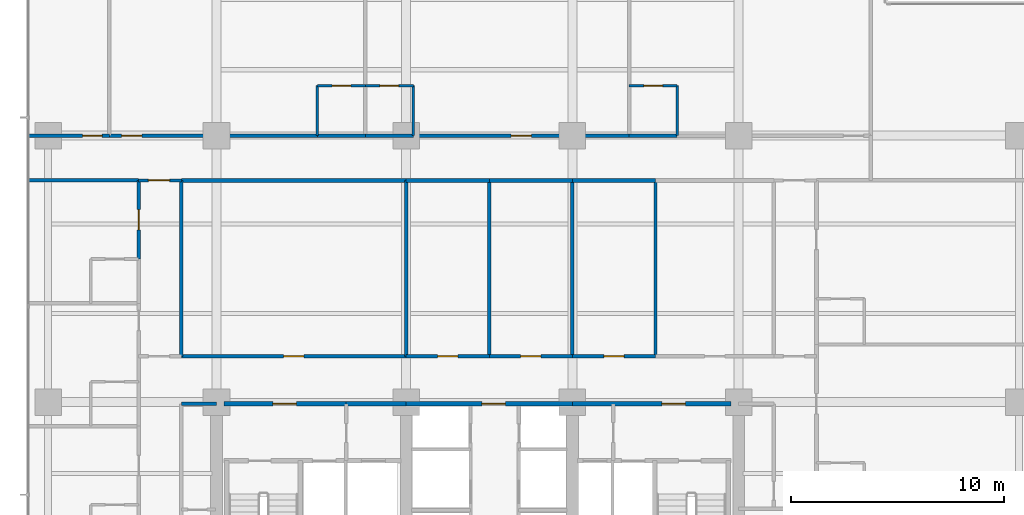
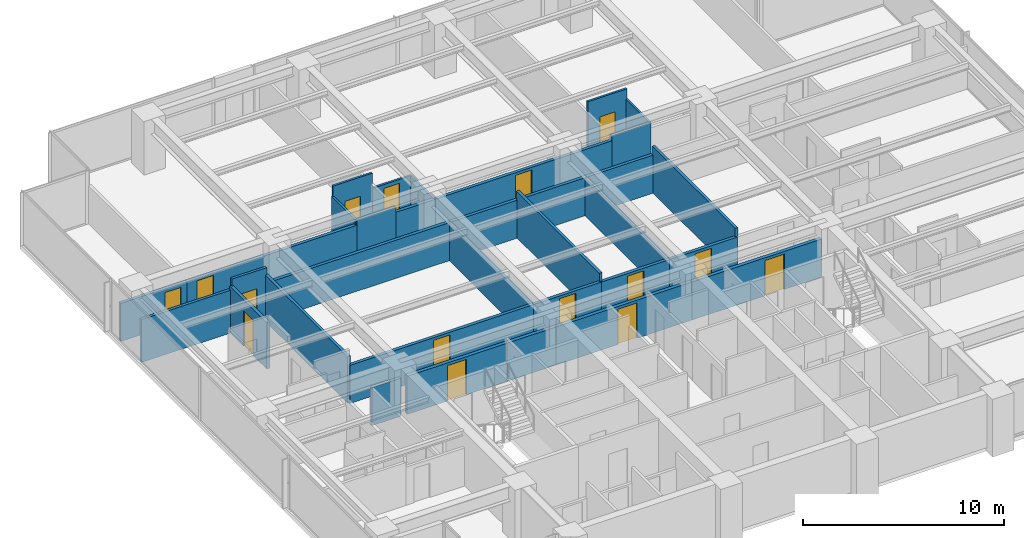
# One storey, part 10 of 17: 33 walls, 15 doors, 15 openings.
"""IFC4 building model written with IfcOpenShell, lengths in metres."""

from ifc_helpers import new_model, si_unit, direction, frame, frame_2d, origin, place, context, subcontext, project, spatial, rectangle, extrude, material, layer, layer_set, type_object, element, fill, save


model = new_model("IFC4")

# Units and contexts
model_context = context("Model", 3, precision=1e-05, world=origin(), true_north=direction((0.0, 1.0)))
body_context = subcontext(model_context, "Body", "Model", "MODEL_VIEW")
ifc_project = project(units=[si_unit("LENGTHUNIT", "METRE"), si_unit("AREAUNIT", "SQUARE_METRE"), si_unit("VOLUMEUNIT", "CUBIC_METRE"), si_unit("PLANEANGLEUNIT", "RADIAN"), si_unit("MASSUNIT", "GRAM", prefix="KILO")], contexts=[model_context])

# Site, building, storey
site_placement = place(None, origin())
site = spatial("IfcSite", under=ifc_project, at=site_placement, CompositionType="ELEMENT")
building_placement = place(site_placement, origin())
building = spatial("IfcBuilding", under=site, at=building_placement, Name="Qalmaran Belvedere Hotel", CompositionType="ELEMENT")
storey_placement = place(building_placement, frame((0.0, 0.0, 116.199951171875)))
storey = spatial("IfcBuildingStorey", under=building, at=storey_placement, Name="L29", CompositionType="ELEMENT", Elevation=116.199951171875)

# Wall, opening, door
ifc_material_1 = material(Name="Moisture-Resistant Gypsum")
ifc_layer_1 = layer(ifc_material_1, 0.1201171875, Name="Moisture-Resistant Gypsum")
ifc_layer_set_1 = layer_set([ifc_layer_1], Name="Moisture-Resistant Gypsum")
wall_type_1 = type_object("IfcWallType", Name="WL-INT-120-BATH", PredefinedType="PARTITIONING", material=ifc_layer_set_1)
wall_1_placement = place(storey_placement, frame((25.035400390625, 35.35009765625, 0.0), z_axis=(0.0, 0.0, 1.0), x_axis=(1.0, 0.0, 0.0)))
wall_1 = element("IfcWall", 1, at=wall_1_placement, inside=storey, type_object=wall_type_1, Name="L29 Partition WL-L29-NBN00", PredefinedType="PARTITIONING", context=body_context, shape_type="SweptSolid", body=[
    extrude(rectangle(XDim=2.25, YDim=0.1201171875, at=frame_2d((1.125, 0.0))), origin(), (0.0, 0.0, 1.0), 3.239990234375),
])
opening_1_placement = place(wall_1_placement, frame((1.56494140625, 0.0, 0.0), z_axis=(0.0, 0.0, 1.0), x_axis=(-1.0, 0.0, 0.0)))
opening_1 = element("IfcOpeningElement", 2, at=opening_1_placement, cuts=wall_1, Name="Opening D-BATH", PredefinedType="OPENING", context=body_context, shape_type="SweptSolid", body=[
    extrude(rectangle(XDim=0.8798828125, YDim=2.080078125, at=frame_2d((0.43994140625, 1.0400390625))), frame((0.0, 0.070068359375, 0.0), z_axis=(0.0, -1.0, 0.0), x_axis=(1.0, 0.0, 0.0)), (0.0, 0.0, 1.0), 0.14013671875),
])
ifc_material_2 = material(Name="Engineered Oak Veneer")
door_type_1 = type_object("IfcDoorType", Name="DR-INT-BATH-880X2080", OperationType="NOTDEFINED", PredefinedType="DOOR", material=ifc_material_2)
door_1_placement = place(opening_1_placement, origin())
door_1 = element("IfcDoor", 3, at=door_1_placement, inside=storey, type_object=door_type_1, Name="L29 Ensuite Bathroom Door N01", OperationType="SINGLE_SWING_RIGHT", OverallHeight=2.080078125, OverallWidth=0.8798828125, PredefinedType="DOOR", context=body_context, shape_type="SweptSolid", body=[
    extrude(rectangle(XDim=0.8798828125, YDim=2.080078125, at=frame_2d((0.43994140625, 1.0400390625))), frame((0.0, 0.02490234375, 0.0), z_axis=(0.0, -1.0, 0.0), x_axis=(1.0, 0.0, 0.0)), (0.0, 0.0, 1.0), 0.050048828125),
])
fill(opening_1, door_1)

# Wall
wall_2_placement = place(storey_placement, frame((25.035400390625, 33.0, 0.0), z_axis=(0.0, 0.0, 1.0), x_axis=(0.0, 1.0, 0.0)))
element("IfcWall", 4, at=wall_2_placement, inside=storey, type_object=wall_type_1, Name="L29 Partition WL-L29-NBS00", PredefinedType="PARTITIONING", context=body_context, shape_type="SweptSolid", body=[
    extrude(rectangle(XDim=2.35009765625, YDim=0.1201171875, at=frame_2d((1.175048828125, 0.0))), origin(), (0.0, 0.0, 1.0), 2.614013671875),
])

# Wall, opening, door
wall_3_placement = place(storey_placement, frame((27.285400390625, 35.35009765625, 0.0), z_axis=(0.0, 0.0, 1.0), x_axis=(1.0, 0.0, 0.0)))
wall_3 = element("IfcWall", 5, at=wall_3_placement, inside=storey, type_object=wall_type_1, Name="L29 Partition WL-L29-NBN01", PredefinedType="PARTITIONING", context=body_context, shape_type="SweptSolid", body=[
    extrude(rectangle(XDim=2.25, YDim=0.1201171875, at=frame_2d((1.125, 0.0))), origin(), (0.0, 0.0, 1.0), 2.31298828125),
])
opening_2_placement = place(wall_3_placement, frame((1.56494140625, 0.0, 0.0), z_axis=(0.0, 0.0, 1.0), x_axis=(-1.0, 0.0, 0.0)))
opening_2 = element("IfcOpeningElement", 6, at=opening_2_placement, cuts=wall_3, Name="Opening D-BATH", PredefinedType="OPENING", context=body_context, shape_type="SweptSolid", body=[
    extrude(rectangle(XDim=0.8798828125, YDim=2.080078125, at=frame_2d((0.43994140625, 1.0400390625))), frame((0.0, 0.070068359375, 0.0), z_axis=(0.0, -1.0, 0.0), x_axis=(1.0, 0.0, 0.0)), (0.0, 0.0, 1.0), 0.14013671875),
])
door_2_placement = place(opening_2_placement, origin())
door_2 = element("IfcDoor", 7, at=door_2_placement, inside=storey, type_object=door_type_1, Name="L29 Ensuite Bathroom Door N02", OperationType="SINGLE_SWING_RIGHT", OverallHeight=2.080078125, OverallWidth=0.8798828125, PredefinedType="DOOR", context=body_context, shape_type="SweptSolid", body=[
    extrude(rectangle(XDim=0.8798828125, YDim=2.080078125, at=frame_2d((0.43994140625, 1.0400390625))), frame((0.0, 0.02490234375, 0.0), z_axis=(0.0, -1.0, 0.0), x_axis=(1.0, 0.0, 0.0)), (0.0, 0.0, 1.0), 0.050048828125),
])
fill(opening_2, door_2)

# Wall
wall_4_placement = place(storey_placement, frame((29.535400390625, 33.0, 0.0), z_axis=(0.0, 0.0, 1.0), x_axis=(0.0, 1.0, 0.0)))
element("IfcWall", 8, at=wall_4_placement, inside=storey, type_object=wall_type_1, Name="L29 Partition WL-L29-NBS01", PredefinedType="PARTITIONING", context=body_context, shape_type="SweptSolid", body=[
    extrude(rectangle(XDim=2.35009765625, YDim=0.1201171875, at=frame_2d((1.175048828125, 0.0))), origin(), (0.0, 0.0, 1.0), 2.31298828125),
])

# Wall, opening, door
wall_5_placement = place(storey_placement, frame((39.664794921875, 35.35009765625, 0.0), z_axis=(0.0, 0.0, 1.0), x_axis=(1.0, 0.0, 0.0)))
wall_5 = element("IfcWall", 9, at=wall_5_placement, inside=storey, type_object=wall_type_1, Name="L29 Partition WL-L29-NBN02", PredefinedType="PARTITIONING", context=body_context, shape_type="SweptSolid", body=[
    extrude(rectangle(XDim=2.25, YDim=0.1201171875, at=frame_2d((1.125, 0.0))), origin(), (0.0, 0.0, 1.0), 3.239990234375),
])
opening_3_placement = place(wall_5_placement, frame((1.56494140625, 0.0, 0.0), z_axis=(0.0, 0.0, 1.0), x_axis=(-1.0, 0.0, 0.0)))
opening_3 = element("IfcOpeningElement", 10, at=opening_3_placement, cuts=wall_5, Name="Opening D-BATH", PredefinedType="OPENING", context=body_context, shape_type="SweptSolid", body=[
    extrude(rectangle(XDim=0.8798828125, YDim=2.080078125, at=frame_2d((0.43994140625, 1.0400390625))), frame((0.0, 0.070068359375, 0.0), z_axis=(0.0, -1.0, 0.0), x_axis=(1.0, 0.0, 0.0)), (0.0, 0.0, 1.0), 0.14013671875),
])
door_3_placement = place(opening_3_placement, origin())
door_3 = element("IfcDoor", 11, at=door_3_placement, inside=storey, type_object=door_type_1, Name="L29 Ensuite Bathroom Door N03", OperationType="SINGLE_SWING_RIGHT", OverallHeight=2.080078125, OverallWidth=0.8798828125, PredefinedType="DOOR", context=body_context, shape_type="SweptSolid", body=[
    extrude(rectangle(XDim=0.8798828125, YDim=2.080078125, at=frame_2d((0.43994140625, 1.0400390625))), frame((0.0, 0.02490234375, 0.0), z_axis=(0.0, -1.0, 0.0), x_axis=(1.0, 0.0, 0.0)), (0.0, 0.0, 1.0), 0.050048828125),
])
fill(opening_3, door_3)

# Wall
wall_6_placement = place(storey_placement, frame((41.914794921875, 33.0, 0.0), z_axis=(0.0, 0.0, 1.0), x_axis=(0.0, 1.0, 0.0)))
element("IfcWall", 12, at=wall_6_placement, inside=storey, type_object=wall_type_1, Name="L29 Partition WL-L29-NBS02", PredefinedType="PARTITIONING", context=body_context, shape_type="SweptSolid", body=[
    extrude(rectangle(XDim=2.35009765625, YDim=0.1201171875, at=frame_2d((1.175048828125, 0.0))), origin(), (0.0, 0.0, 1.0), 2.614013671875),
])

# Wall, opening, door
ifc_material_3 = material(Name="Gypsum Stud Partition")
ifc_layer_2 = layer(ifc_material_3, 0.14990234375, Name="Gypsum Stud Partition")
ifc_layer_set_2 = layer_set([ifc_layer_2], Name="Gypsum Stud Partition")
wall_type_2 = type_object("IfcWallType", Name="WL-INT-150-EI60", PredefinedType="PARTITIONING", material=ifc_layer_set_2)
wall_7_placement = place(storey_placement, frame((16.64990234375, 30.89990234375, 0.0), z_axis=(0.0, 0.0, 1.0), x_axis=(1.0, 0.0, 0.0)))
wall_7 = element("IfcWall", 13, at=wall_7_placement, inside=storey, type_object=wall_type_2, Name="L29 Partition WL-L29-XCW2", PredefinedType="PARTITIONING", context=body_context, shape_type="SweptSolid", body=[
    extrude(rectangle(XDim=2.0, YDim=0.14990234375, at=frame_2d((1.0, 0.0))), origin(), (0.0, 0.0, 1.0), 3.239990234375),
])
opening_4_placement = place(wall_7_placement, frame((0.449951171875, 0.0, 0.0)))
opening_4 = element("IfcOpeningElement", 14, at=opening_4_placement, cuts=wall_7, Name="Opening FD90B", PredefinedType="OPENING", context=body_context, shape_type="SweptSolid", body=[
    extrude(rectangle(XDim=1.0, YDim=2.14990234375, at=frame_2d((0.5, 1.074951171875))), frame((0.0, 0.0849609375, 0.0), z_axis=(0.0, -1.0, 0.0), x_axis=(1.0, 0.0, 0.0)), (0.0, 0.0, 1.0), 0.169921875),
])
ifc_material_4 = material(Name="Steel S355JR", Category="steel")
door_type_2 = type_object("IfcDoorType", Name="DR-FD90B-1000X2150", OperationType="NOTDEFINED", PredefinedType="DOOR", material=ifc_material_4)
door_4_placement = place(opening_4_placement, origin())
door_4 = element("IfcDoor", 15, at=door_4_placement, inside=storey, type_object=door_type_2, Name="L29 West Corridor Smoke Door N", OperationType="SINGLE_SWING_RIGHT", OverallHeight=2.14990234375, OverallWidth=1.0, PredefinedType="DOOR", context=body_context, shape_type="SweptSolid", body=[
    extrude(rectangle(XDim=1.0, YDim=2.14990234375, at=frame_2d((0.5, 1.074951171875))), frame((0.0, 0.02490234375, 0.0), z_axis=(0.0, -1.0, 0.0), x_axis=(1.0, 0.0, 0.0)), (0.0, 0.0, 1.0), 0.050048828125),
])
fill(opening_4, door_4)

# Walls
ifc_layer_3 = layer(ifc_material_3, 0.159912109375, Name="Gypsum Stud Partition")
ifc_layer_set_3 = layer_set([ifc_layer_3], Name="Gypsum Stud Partition")
wall_type_3 = type_object("IfcWallType", Name="WL-INT-160-EI60", PredefinedType="PARTITIONING", material=ifc_layer_set_3)
wall_8_placement = place(storey_placement, frame((18.64990234375, 20.419921875, 0.0), z_axis=(0.0, 0.0, 1.0), x_axis=(1.0, 0.0, 0.0)))
element("IfcWall", 16, at=wall_8_placement, inside=storey, type_object=wall_type_3, Name="L29 Partition WL-L29-WCLN", PredefinedType="PARTITIONING", context=body_context, shape_type="SweptSolid", body=[
    extrude(rectangle(XDim=1.650146484375, YDim=0.159912109375, at=frame_2d((0.8251953125, 0.0))), origin(), (0.0, 0.0, 1.0), 2.31298828125),
])
wall_9_placement = place(storey_placement, frame((18.64990234375, 22.64990234375, 0.0), z_axis=(0.0, 0.0, 1.0), x_axis=(0.0, 1.0, 0.0)))
element("IfcWall", 17, at=wall_9_placement, inside=storey, type_object=wall_type_3, Name="L29 Partition WL-L29-MIDVL", PredefinedType="PARTITIONING", context=body_context, shape_type="SweptSolid", body=[
    extrude(rectangle(XDim=8.25, YDim=0.159912109375, at=frame_2d((4.125, 0.0))), origin(), (0.0, 0.0, 1.0), 2.818115234375),
])
wall_10_placement = place(storey_placement, frame((29.199951171875, 22.64990234375, 0.0), z_axis=(0.0, 0.0, 1.0), x_axis=(0.0, 1.0, 0.0)))
element("IfcWall", 18, at=wall_10_placement, inside=storey, type_object=wall_type_3, Name="L29 Partition WL-L29-MIDVR1", PredefinedType="PARTITIONING", context=body_context, shape_type="SweptSolid", body=[
    extrude(rectangle(XDim=8.25, YDim=0.159912109375, at=frame_2d((4.125, 0.0))), origin(), (0.0, 0.0, 1.0), 2.31298828125),
])
wall_11_placement = place(storey_placement, frame((33.10009765625, 22.64990234375, 0.0), z_axis=(0.0, 0.0, 1.0), x_axis=(0.0, 1.0, 0.0)))
element("IfcWall", 19, at=wall_11_placement, inside=storey, type_object=wall_type_3, Name="L29 Partition WL-L29-MIDVR2", PredefinedType="PARTITIONING", context=body_context, shape_type="SweptSolid", body=[
    extrude(rectangle(XDim=8.25, YDim=0.159912109375, at=frame_2d((4.125, 0.0))), origin(), (0.0, 0.0, 1.0), 2.818115234375),
])
wall_12_placement = place(storey_placement, frame((37.0, 22.64990234375, 0.0), z_axis=(0.0, 0.0, 1.0), x_axis=(0.0, 1.0, 0.0)))
element("IfcWall", 20, at=wall_12_placement, inside=storey, type_object=wall_type_3, Name="L29 Partition WL-L29-MIDVR3", PredefinedType="PARTITIONING", context=body_context, shape_type="SweptSolid", body=[
    extrude(rectangle(XDim=8.25, YDim=0.159912109375, at=frame_2d((4.125, 0.0))), origin(), (0.0, 0.0, 1.0), 2.31298828125),
])
wall_13_placement = place(storey_placement, frame((40.89990234375, 22.64990234375, 0.0), z_axis=(0.0, 0.0, 1.0), x_axis=(0.0, 1.0, 0.0)))
element("IfcWall", 21, at=wall_13_placement, inside=storey, type_object=wall_type_3, Name="L29 Partition WL-L29-MIDVR4", PredefinedType="PARTITIONING", context=body_context, shape_type="SweptSolid", body=[
    extrude(rectangle(XDim=8.25, YDim=0.159912109375, at=frame_2d((4.125, 0.0))), origin(), (0.0, 0.0, 1.0), 2.818115234375),
])
wall_14_placement = place(storey_placement, frame((11.469970703125, 30.89990234375, 0.0), z_axis=(0.0, 0.0, 1.0), x_axis=(1.0, 0.0, 0.0)))
element("IfcWall", 22, at=wall_14_placement, inside=storey, type_object=wall_type_3, Name="L29 Partition WL-L29-WU02", PredefinedType="PARTITIONING", context=body_context, shape_type="SweptSolid", body=[
    extrude(rectangle(XDim=5.179931640625, YDim=0.159912109375, at=frame_2d((2.58984375, 0.0))), origin(), (0.0, 0.0, 1.0), 2.60302734375),
])

# Wall, opening, door
ifc_layer_4 = layer(ifc_material_3, 0.179931640625, Name="Gypsum Stud Partition")
ifc_layer_set_4 = layer_set([ifc_layer_4], Name="Gypsum Stud Partition")
wall_type_4 = type_object("IfcWallType", Name="WL-INT-180-EI60", PredefinedType="PARTITIONING", material=ifc_layer_set_4)
wall_15_placement = place(storey_placement, frame((18.64990234375, 22.64990234375, 0.0), z_axis=(0.0, 0.0, 1.0), x_axis=(1.0, 0.0, 0.0)))
wall_15 = element("IfcWall", 23, at=wall_15_placement, inside=storey, type_object=wall_type_4, Name="L29 Partition WL-L29-MIDD1", PredefinedType="PARTITIONING", context=body_context, shape_type="SweptSolid", body=[
    extrude(rectangle(XDim=10.550048828125, YDim=0.179931640625, at=frame_2d((5.27490234375, 0.0))), origin(), (0.0, 0.0, 1.0), 2.31298828125),
])
opening_5_placement = place(wall_15_placement, frame((4.800048828125, 0.0, 0.0)))
opening_5 = element("IfcOpeningElement", 24, at=opening_5_placement, cuts=wall_15, Name="Opening FD60", PredefinedType="OPENING", context=body_context, shape_type="SweptSolid", body=[
    extrude(rectangle(XDim=0.949951171875, YDim=2.14990234375, at=frame_2d((0.47509765625, 1.074951171875))), frame((0.0, 0.10009765625, 0.0), z_axis=(0.0, -1.0, 0.0), x_axis=(1.0, 0.0, 0.0)), (0.0, 0.0, 1.0), 0.199951171875),
])
door_type_3 = type_object("IfcDoorType", Name="DR-FD60-950X2150", OperationType="NOTDEFINED", PredefinedType="DOOR", material=ifc_material_2)
door_5_placement = place(opening_5_placement, origin())
door_5 = element("IfcDoor", 25, at=door_5_placement, inside=storey, type_object=door_type_3, Name="L29 Housekeeping and Linen Room Door", OperationType="SINGLE_SWING_LEFT", OverallHeight=2.14990234375, OverallWidth=0.949951171875, PredefinedType="DOOR", context=body_context, shape_type="SweptSolid", body=[
    extrude(rectangle(XDim=0.949951171875, YDim=2.14990234375, at=frame_2d((0.47509765625, 1.074951171875))), frame((0.0, 0.02490234375, 0.0), z_axis=(0.0, -1.0, 0.0), x_axis=(1.0, 0.0, 0.0)), (0.0, 0.0, 1.0), 0.050048828125),
])
fill(opening_5, door_5)

# Wall
wall_16_placement = place(storey_placement, frame((18.64990234375, 30.89990234375, 0.0), z_axis=(0.0, 0.0, 1.0), x_axis=(1.0, 0.0, 0.0)))
element("IfcWall", 26, at=wall_16_placement, inside=storey, type_object=wall_type_4, Name="L29 Partition WL-L29-MIDO1", PredefinedType="PARTITIONING", context=body_context, shape_type="SweptSolid", body=[
    extrude(rectangle(XDim=10.550048828125, YDim=0.179931640625, at=frame_2d((5.27490234375, 0.0))), origin(), (0.0, 0.0, 1.0), 2.31298828125),
])

# Wall, opening, door
wall_17_placement = place(storey_placement, frame((29.199951171875, 22.64990234375, 0.0), z_axis=(0.0, 0.0, 1.0), x_axis=(1.0, 0.0, 0.0)))
wall_17 = element("IfcWall", 27, at=wall_17_placement, inside=storey, type_object=wall_type_4, Name="L29 Partition WL-L29-MIDD2", PredefinedType="PARTITIONING", context=body_context, shape_type="SweptSolid", body=[
    extrude(rectangle(XDim=3.900146484375, YDim=0.179931640625, at=frame_2d((1.9501953125, 0.0))), origin(), (0.0, 0.0, 1.0), 2.31298828125),
])
opening_6_placement = place(wall_17_placement, frame((1.47509765625, 0.0, 0.0)))
opening_6 = element("IfcOpeningElement", 28, at=opening_6_placement, cuts=wall_17, Name="Opening FD60", PredefinedType="OPENING", context=body_context, shape_type="SweptSolid", body=[
    extrude(rectangle(XDim=0.949951171875, YDim=2.14990234375, at=frame_2d((0.47509765625, 1.074951171875))), frame((0.0, 0.10009765625, 0.0), z_axis=(0.0, -1.0, 0.0), x_axis=(1.0, 0.0, 0.0)), (0.0, 0.0, 1.0), 0.199951171875),
])
door_6_placement = place(opening_6_placement, origin())
door_6 = element("IfcDoor", 29, at=door_6_placement, inside=storey, type_object=door_type_3, Name="L29 Drawing Lounge Door", OperationType="SINGLE_SWING_RIGHT", OverallHeight=2.14990234375, OverallWidth=0.949951171875, PredefinedType="DOOR", context=body_context, shape_type="SweptSolid", body=[
    extrude(rectangle(XDim=0.949951171875, YDim=2.14990234375, at=frame_2d((0.47509765625, 1.074951171875))), frame((0.0, 0.02490234375, 0.0), z_axis=(0.0, -1.0, 0.0), x_axis=(1.0, 0.0, 0.0)), (0.0, 0.0, 1.0), 0.050048828125),
])
fill(opening_6, door_6)

# Wall
wall_18_placement = place(storey_placement, frame((29.199951171875, 30.89990234375, 0.0), z_axis=(0.0, 0.0, 1.0), x_axis=(1.0, 0.0, 0.0)))
element("IfcWall", 30, at=wall_18_placement, inside=storey, type_object=wall_type_4, Name="L29 Partition WL-L29-MIDO2", PredefinedType="PARTITIONING", context=body_context, shape_type="SweptSolid", body=[
    extrude(rectangle(XDim=3.900146484375, YDim=0.179931640625, at=frame_2d((1.9501953125, 0.0))), origin(), (0.0, 0.0, 1.0), 2.31298828125),
])

# Wall, opening, door
wall_19_placement = place(storey_placement, frame((33.10009765625, 22.64990234375, 0.0), z_axis=(0.0, 0.0, 1.0), x_axis=(1.0, 0.0, 0.0)))
wall_19 = element("IfcWall", 31, at=wall_19_placement, inside=storey, type_object=wall_type_4, Name="L29 Partition WL-L29-MIDD3", PredefinedType="PARTITIONING", context=body_context, shape_type="SweptSolid", body=[
    extrude(rectangle(XDim=3.89990234375, YDim=0.179931640625, at=frame_2d((1.949951171875, 0.0))), origin(), (0.0, 0.0, 1.0), 2.31298828125),
])
opening_7_placement = place(wall_19_placement, frame((1.47509765625, 0.0, 0.0)))
opening_7 = element("IfcOpeningElement", 32, at=opening_7_placement, cuts=wall_19, Name="Opening FD60", PredefinedType="OPENING", context=body_context, shape_type="SweptSolid", body=[
    extrude(rectangle(XDim=0.949951171875, YDim=2.14990234375, at=frame_2d((0.47509765625, 1.074951171875))), frame((0.0, 0.10009765625, 0.0), z_axis=(0.0, -1.0, 0.0), x_axis=(1.0, 0.0, 0.0)), (0.0, 0.0, 1.0), 0.199951171875),
])
door_7_placement = place(opening_7_placement, origin())
door_7 = element("IfcDoor", 33, at=door_7_placement, inside=storey, type_object=door_type_3, Name="L29 Sitting Lounge Door", OperationType="SINGLE_SWING_LEFT", OverallHeight=2.14990234375, OverallWidth=0.949951171875, PredefinedType="DOOR", context=body_context, shape_type="SweptSolid", body=[
    extrude(rectangle(XDim=0.949951171875, YDim=2.14990234375, at=frame_2d((0.47509765625, 1.074951171875))), frame((0.0, 0.02490234375, 0.0), z_axis=(0.0, -1.0, 0.0), x_axis=(1.0, 0.0, 0.0)), (0.0, 0.0, 1.0), 0.050048828125),
])
fill(opening_7, door_7)

# Wall
wall_20_placement = place(storey_placement, frame((33.10009765625, 30.89990234375, 0.0), z_axis=(0.0, 0.0, 1.0), x_axis=(1.0, 0.0, 0.0)))
element("IfcWall", 34, at=wall_20_placement, inside=storey, type_object=wall_type_4, Name="L29 Partition WL-L29-MIDO3", PredefinedType="PARTITIONING", context=body_context, shape_type="SweptSolid", body=[
    extrude(rectangle(XDim=3.89990234375, YDim=0.179931640625, at=frame_2d((1.949951171875, 0.0))), origin(), (0.0, 0.0, 1.0), 2.31298828125),
])

# Wall, opening, door
wall_21_placement = place(storey_placement, frame((37.0, 22.64990234375, 0.0), z_axis=(0.0, 0.0, 1.0), x_axis=(1.0, 0.0, 0.0)))
wall_21 = element("IfcWall", 35, at=wall_21_placement, inside=storey, type_object=wall_type_4, Name="L29 Partition WL-L29-MIDD4", PredefinedType="PARTITIONING", context=body_context, shape_type="SweptSolid", body=[
    extrude(rectangle(XDim=3.89990234375, YDim=0.179931640625, at=frame_2d((1.949951171875, 0.0))), origin(), (0.0, 0.0, 1.0), 2.31298828125),
])
opening_8_placement = place(wall_21_placement, frame((1.47509765625, 0.0, 0.0)))
opening_8 = element("IfcOpeningElement", 36, at=opening_8_placement, cuts=wall_21, Name="Opening FD60", PredefinedType="OPENING", context=body_context, shape_type="SweptSolid", body=[
    extrude(rectangle(XDim=0.949951171875, YDim=2.14990234375, at=frame_2d((0.47509765625, 1.074951171875))), frame((0.0, 0.10009765625, 0.0), z_axis=(0.0, -1.0, 0.0), x_axis=(1.0, 0.0, 0.0)), (0.0, 0.0, 1.0), 0.199951171875),
])
door_8_placement = place(opening_8_placement, origin())
door_8 = element("IfcDoor", 37, at=door_8_placement, inside=storey, type_object=door_type_3, Name="L29 Family Lounge Door", OperationType="SINGLE_SWING_RIGHT", OverallHeight=2.14990234375, OverallWidth=0.949951171875, PredefinedType="DOOR", context=body_context, shape_type="SweptSolid", body=[
    extrude(rectangle(XDim=0.949951171875, YDim=2.14990234375, at=frame_2d((0.47509765625, 1.074951171875))), frame((0.0, 0.02490234375, 0.0), z_axis=(0.0, -1.0, 0.0), x_axis=(1.0, 0.0, 0.0)), (0.0, 0.0, 1.0), 0.050048828125),
])
fill(opening_8, door_8)

# Walls
wall_22_placement = place(storey_placement, frame((37.0, 30.89990234375, 0.0), z_axis=(0.0, 0.0, 1.0), x_axis=(1.0, 0.0, 0.0)))
element("IfcWall", 38, at=wall_22_placement, inside=storey, type_object=wall_type_4, Name="L29 Partition WL-L29-MIDO4", PredefinedType="PARTITIONING", context=body_context, shape_type="SweptSolid", body=[
    extrude(rectangle(XDim=3.89990234375, YDim=0.179931640625, at=frame_2d((1.949951171875, 0.0))), origin(), (0.0, 0.0, 1.0), 2.31298828125),
])
wall_23_placement = place(storey_placement, frame((25.035400390625, 33.0, 0.0), z_axis=(0.0, 0.0, 1.0), x_axis=(1.0, 0.0, 0.0)))
element("IfcWall", 39, at=wall_23_placement, inside=storey, type_object=wall_type_4, Name="L29 Partition WL-L29-NBC00", PredefinedType="PARTITIONING", context=body_context, shape_type="SweptSolid", body=[
    extrude(rectangle(XDim=2.25, YDim=0.179931640625, at=frame_2d((1.125, 0.0))), origin(), (0.0, 0.0, 1.0), 2.614013671875),
])

# Wall, opening, door
wall_24_placement = place(storey_placement, frame((15.27001953125, 33.0, 0.0), z_axis=(0.0, 0.0, 1.0), x_axis=(1.0, 0.0, 0.0)))
wall_24 = element("IfcWall", 40, at=wall_24_placement, inside=storey, type_object=wall_type_4, Name="L29 Partition WL-L29-NEC00", PredefinedType="PARTITIONING", context=body_context, shape_type="SweptSolid", body=[
    extrude(rectangle(XDim=9.765380859375, YDim=0.179931640625, at=frame_2d((4.8828125, 0.0))), origin(), (0.0, 0.0, 1.0), 2.31298828125),
])
opening_9_placement = place(wall_24_placement, frame((0.578857421875, 0.0, 0.0)))
opening_9 = element("IfcOpeningElement", 41, at=opening_9_placement, cuts=wall_24, Name="Opening FD60", PredefinedType="OPENING", context=body_context, shape_type="SweptSolid", body=[
    extrude(rectangle(XDim=0.949951171875, YDim=2.14990234375, at=frame_2d((0.47509765625, 1.074951171875))), frame((0.0, 0.10009765625, 0.0), z_axis=(0.0, -1.0, 0.0), x_axis=(1.0, 0.0, 0.0)), (0.0, 0.0, 1.0), 0.199951171875),
])
door_9_placement = place(opening_9_placement, origin())
door_9 = element("IfcDoor", 42, at=door_9_placement, inside=storey, type_object=door_type_3, Name="L29 Guest Entrance Door N01", OperationType="SINGLE_SWING_LEFT", OverallHeight=2.14990234375, OverallWidth=0.949951171875, PredefinedType="DOOR", context=body_context, shape_type="SweptSolid", body=[
    extrude(rectangle(XDim=0.949951171875, YDim=2.14990234375, at=frame_2d((0.47509765625, 1.074951171875))), frame((0.0, 0.02490234375, 0.0), z_axis=(0.0, -1.0, 0.0), x_axis=(1.0, 0.0, 0.0)), (0.0, 0.0, 1.0), 0.050048828125),
])
fill(opening_9, door_9)

# Wall
wall_25_placement = place(storey_placement, frame((27.285400390625, 33.0, 0.0), z_axis=(0.0, 0.0, 1.0), x_axis=(1.0, 0.0, 0.0)))
element("IfcWall", 43, at=wall_25_placement, inside=storey, type_object=wall_type_4, Name="L29 Partition WL-L29-NBC01", PredefinedType="PARTITIONING", context=body_context, shape_type="SweptSolid", body=[
    extrude(rectangle(XDim=2.25, YDim=0.179931640625, at=frame_2d((1.125, 0.0))), origin(), (0.0, 0.0, 1.0), 2.31298828125),
])

# Wall, opening, door
wall_26_placement = place(storey_placement, frame((29.535400390625, 33.0, 0.0), z_axis=(0.0, 0.0, 1.0), x_axis=(1.0, 0.0, 0.0)))
wall_26 = element("IfcWall", 44, at=wall_26_placement, inside=storey, type_object=wall_type_4, Name="L29 Partition WL-L29-NEC01", PredefinedType="PARTITIONING", context=body_context, shape_type="SweptSolid", body=[
    extrude(rectangle(XDim=10.12939453125, YDim=0.179931640625, at=frame_2d((5.064697265625, 0.0))), origin(), (0.0, 0.0, 1.0), 2.31298828125),
])
opening_10_placement = place(wall_26_placement, frame((4.589599609375, 0.0, 0.0)))
opening_10 = element("IfcOpeningElement", 45, at=opening_10_placement, cuts=wall_26, Name="Opening FD60", PredefinedType="OPENING", context=body_context, shape_type="SweptSolid", body=[
    extrude(rectangle(XDim=0.949951171875, YDim=2.14990234375, at=frame_2d((0.47509765625, 1.074951171875))), frame((0.0, 0.10009765625, 0.0), z_axis=(0.0, -1.0, 0.0), x_axis=(1.0, 0.0, 0.0)), (0.0, 0.0, 1.0), 0.199951171875),
])
door_10_placement = place(opening_10_placement, origin())
door_10 = element("IfcDoor", 46, at=door_10_placement, inside=storey, type_object=door_type_3, Name="L29 Guest Entrance Door N02", OperationType="SINGLE_SWING_LEFT", OverallHeight=2.14990234375, OverallWidth=0.949951171875, PredefinedType="DOOR", context=body_context, shape_type="SweptSolid", body=[
    extrude(rectangle(XDim=0.949951171875, YDim=2.14990234375, at=frame_2d((0.47509765625, 1.074951171875))), frame((0.0, 0.02490234375, 0.0), z_axis=(0.0, -1.0, 0.0), x_axis=(1.0, 0.0, 0.0)), (0.0, 0.0, 1.0), 0.050048828125),
])
fill(opening_10, door_10)

# Wall
wall_27_placement = place(storey_placement, frame((39.664794921875, 33.0, 0.0), z_axis=(0.0, 0.0, 1.0), x_axis=(1.0, 0.0, 0.0)))
element("IfcWall", 47, at=wall_27_placement, inside=storey, type_object=wall_type_4, Name="L29 Partition WL-L29-NBC02", PredefinedType="PARTITIONING", context=body_context, shape_type="SweptSolid", body=[
    extrude(rectangle(XDim=2.25, YDim=0.179931640625, at=frame_2d((1.125, 0.0))), origin(), (0.0, 0.0, 1.0), 2.614013671875),
])

# Wall, opening, door
wall_28_placement = place(storey_placement, frame((16.64990234375, 27.21337890625, 0.0), z_axis=(0.0, 0.0, 1.0), x_axis=(0.0, 1.0, 0.0)))
wall_28 = element("IfcWall", 48, at=wall_28_placement, inside=storey, type_object=wall_type_4, Name="L29 Partition WL-L29-WEC02", PredefinedType="PARTITIONING", context=body_context, shape_type="SweptSolid", body=[
    extrude(rectangle(XDim=3.6865234375, YDim=0.179931640625, at=frame_2d((1.84326171875, 0.0))), origin(), (0.0, 0.0, 1.0), 2.818115234375),
])
opening_11_placement = place(wall_28_placement, frame((1.368408203125, 0.0, 0.0)))
opening_11 = element("IfcOpeningElement", 49, at=opening_11_placement, cuts=wall_28, Name="Opening FD60", PredefinedType="OPENING", context=body_context, shape_type="SweptSolid", body=[
    extrude(rectangle(XDim=0.949951171875, YDim=2.14990234375, at=frame_2d((0.47509765625, 1.074951171875))), frame((0.0, 0.10009765625, 0.0), z_axis=(0.0, -1.0, 0.0), x_axis=(1.0, 0.0, 0.0)), (0.0, 0.0, 1.0), 0.199951171875),
])
door_11_placement = place(opening_11_placement, origin())
door_11 = element("IfcDoor", 50, at=door_11_placement, inside=storey, type_object=door_type_3, Name="L29 W Wing Door 03", OperationType="SINGLE_SWING_LEFT", OverallHeight=2.14990234375, OverallWidth=0.949951171875, PredefinedType="DOOR", context=body_context, shape_type="SweptSolid", body=[
    extrude(rectangle(XDim=0.949951171875, YDim=2.14990234375, at=frame_2d((0.47509765625, 1.074951171875))), frame((0.0, 0.02490234375, 0.0), z_axis=(0.0, -1.0, 0.0), x_axis=(1.0, 0.0, 0.0)), (0.0, 0.0, 1.0), 0.050048828125),
])
fill(opening_11, door_11)

wall_29_placement = place(storey_placement, frame((11.469970703125, 33.0, 0.0), z_axis=(0.0, 0.0, 1.0), x_axis=(1.0, 0.0, 0.0)))
wall_29 = element("IfcWall", 51, at=wall_29_placement, inside=storey, type_object=wall_type_4, Name="L29 Partition WL-L29-NWSD", PredefinedType="PARTITIONING", context=body_context, shape_type="SweptSolid", body=[
    extrude(rectangle(XDim=3.800048828125, YDim=0.179931640625, at=frame_2d((1.89990234375, 0.0))), origin(), (0.0, 0.0, 1.0), 2.31298828125),
])
opening_12_placement = place(wall_29_placement, frame((2.543701171875, 0.0, 0.0)))
opening_12 = element("IfcOpeningElement", 52, at=opening_12_placement, cuts=wall_29, Name="Opening FD60S1", PredefinedType="OPENING", context=body_context, shape_type="SweptSolid", body=[
    extrude(rectangle(XDim=0.919921875, YDim=2.080078125, at=frame_2d((0.4599609375, 1.0400390625))), frame((0.0, 0.10009765625, 0.0), z_axis=(0.0, -1.0, 0.0), x_axis=(1.0, 0.0, 0.0)), (0.0, 0.0, 1.0), 0.199951171875),
])
door_type_4 = type_object("IfcDoorType", Name="DR-FD60S-920X2080", OperationType="NOTDEFINED", PredefinedType="DOOR", material=ifc_material_2)
door_12_placement = place(opening_12_placement, origin())
door_12 = element("IfcDoor", 53, at=door_12_placement, inside=storey, type_object=door_type_4, Name="L29 NW Belvedere Study Door", OperationType="SINGLE_SWING_RIGHT", OverallHeight=2.080078125, OverallWidth=0.919921875, PredefinedType="DOOR", context=body_context, shape_type="SweptSolid", body=[
    extrude(rectangle(XDim=0.919921875, YDim=2.080078125, at=frame_2d((0.4599609375, 1.0400390625))), frame((0.0, 0.02490234375, 0.0), z_axis=(0.0, -1.0, 0.0), x_axis=(1.0, 0.0, 0.0)), (0.0, 0.0, 1.0), 0.050048828125),
])
fill(opening_12, door_12)

ifc_material_5 = material(Name="Concrete C30/37 Blockwork", Category="masonry")
ifc_layer_5 = layer(ifc_material_5, 0.199951171875, Name="Concrete C30/37 Blockwork")
ifc_layer_set_5 = layer_set([ifc_layer_5], Name="Concrete C30/37 Blockwork")
wall_type_5 = type_object("IfcWallType", Name="WL-INT-200-EI120", PredefinedType="PARTITIONING", material=ifc_layer_set_5)
wall_30_placement = place(storey_placement, frame((20.64990234375, 20.419921875, 0.0), z_axis=(0.0, 0.0, 1.0), x_axis=(1.0, 0.0, 0.0)))
wall_30 = element("IfcWall", 54, at=wall_30_placement, inside=storey, type_object=wall_type_5, Name="L29 Partition WL-CN1A-L29", PredefinedType="PARTITIONING", context=body_context, shape_type="SweptSolid", body=[
    extrude(rectangle(XDim=5.72998046875, YDim=0.199951171875, at=frame_2d((2.864990234375, 0.0))), origin(), (0.0, 0.0, 1.0), 2.31298828125),
])
opening_13_placement = place(wall_30_placement, frame((2.300048828125, 0.0, 0.0)))
opening_13 = element("IfcOpeningElement", 55, at=opening_13_placement, cuts=wall_30, Name="Opening FD90", PredefinedType="OPENING", context=body_context, shape_type="SweptSolid", body=[
    extrude(rectangle(XDim=1.10009765625, YDim=2.14990234375, at=frame_2d((0.550048828125, 1.074951171875))), frame((0.0, 0.10986328125, 0.0), z_axis=(0.0, -1.0, 0.0), x_axis=(1.0, 0.0, 0.0)), (0.0, 0.0, 1.0), 0.219970703125),
])
door_type_5 = type_object("IfcDoorType", Name="DR-FD90-1100X2150", OperationType="NOTDEFINED", PredefinedType="DOOR", material=ifc_material_4)
door_13_placement = place(opening_13_placement, origin())
door_13 = element("IfcDoor", 56, at=door_13_placement, inside=storey, type_object=door_type_5, Name="L29 FF1 Lobby Corridor Door", OperationType="SINGLE_SWING_LEFT", OverallHeight=2.14990234375, OverallWidth=1.10009765625, PredefinedType="DOOR", context=body_context, shape_type="SweptSolid", body=[
    extrude(rectangle(XDim=1.10009765625, YDim=2.14990234375, at=frame_2d((0.550048828125, 1.074951171875))), frame((0.0, 0.02490234375, 0.0), z_axis=(0.0, -1.0, 0.0), x_axis=(1.0, 0.0, 0.0)), (0.0, 0.0, 1.0), 0.050048828125),
])
fill(opening_13, door_13)

# Wall
wall_31_placement = place(storey_placement, frame((26.3798828125, 20.419921875, 0.0), z_axis=(0.0, 0.0, 1.0), x_axis=(1.0, 0.0, 0.0)))
element("IfcWall", 57, at=wall_31_placement, inside=storey, type_object=wall_type_5, Name="L29 Partition WL-CN1B-L29", PredefinedType="PARTITIONING", context=body_context, shape_type="SweptSolid", body=[
    extrude(rectangle(XDim=2.820068359375, YDim=0.199951171875, at=frame_2d((1.41015625, 0.0))), origin(), (0.0, 0.0, 1.0), 2.31298828125),
])

# Wall, opening, door
wall_32_placement = place(storey_placement, frame((29.199951171875, 20.419921875, 0.0), z_axis=(0.0, 0.0, 1.0), x_axis=(1.0, 0.0, 0.0)))
wall_32 = element("IfcWall", 58, at=wall_32_placement, inside=storey, type_object=wall_type_5, Name="L29 Partition WL-CN2-L29", PredefinedType="PARTITIONING", context=body_context, shape_type="SweptSolid", body=[
    extrude(rectangle(XDim=7.800048828125, YDim=0.199951171875, at=frame_2d((3.89990234375, 0.0))), origin(), (0.0, 0.0, 1.0), 2.31298828125),
])
opening_14_placement = place(wall_32_placement, frame((3.550048828125, 0.0, 0.0)))
opening_14 = element("IfcOpeningElement", 59, at=opening_14_placement, cuts=wall_32, Name="Opening FD90", PredefinedType="OPENING", context=body_context, shape_type="SweptSolid", body=[
    extrude(rectangle(XDim=1.10009765625, YDim=2.14990234375, at=frame_2d((0.550048828125, 1.074951171875))), frame((0.0, 0.10986328125, 0.0), z_axis=(0.0, -1.0, 0.0), x_axis=(1.0, 0.0, 0.0)), (0.0, 0.0, 1.0), 0.219970703125),
])
door_14_placement = place(opening_14_placement, origin())
door_14 = element("IfcDoor", 60, at=door_14_placement, inside=storey, type_object=door_type_5, Name="L29 Central Lift Lobby Door", OperationType="SINGLE_SWING_RIGHT", OverallHeight=2.14990234375, OverallWidth=1.10009765625, PredefinedType="DOOR", context=body_context, shape_type="SweptSolid", body=[
    extrude(rectangle(XDim=1.10009765625, YDim=2.14990234375, at=frame_2d((0.550048828125, 1.074951171875))), frame((0.0, 0.02490234375, 0.0), z_axis=(0.0, -1.0, 0.0), x_axis=(1.0, 0.0, 0.0)), (0.0, 0.0, 1.0), 0.050048828125),
])
fill(opening_14, door_14)

wall_33_placement = place(storey_placement, frame((37.0, 20.419921875, 0.0), z_axis=(0.0, 0.0, 1.0), x_axis=(1.0, 0.0, 0.0)))
wall_33 = element("IfcWall", 61, at=wall_33_placement, inside=storey, type_object=wall_type_5, Name="L29 Partition WL-CN3-L29", PredefinedType="PARTITIONING", context=body_context, shape_type="SweptSolid", body=[
    extrude(rectangle(XDim=7.449951171875, YDim=0.199951171875, at=frame_2d((3.72509765625, 0.0))), origin(), (0.0, 0.0, 1.0), 2.31298828125),
])
opening_15_placement = place(wall_33_placement, frame((4.199951171875, 0.0, 0.0)))
opening_15 = element("IfcOpeningElement", 62, at=opening_15_placement, cuts=wall_33, Name="Opening FD90", PredefinedType="OPENING", context=body_context, shape_type="SweptSolid", body=[
    extrude(rectangle(XDim=1.10009765625, YDim=2.14990234375, at=frame_2d((0.550048828125, 1.074951171875))), frame((0.0, 0.10986328125, 0.0), z_axis=(0.0, -1.0, 0.0), x_axis=(1.0, 0.0, 0.0)), (0.0, 0.0, 1.0), 0.219970703125),
])
door_15_placement = place(opening_15_placement, origin())
door_15 = element("IfcDoor", 63, at=door_15_placement, inside=storey, type_object=door_type_5, Name="L29 FF2 Lobby Corridor Door", OperationType="SINGLE_SWING_LEFT", OverallHeight=2.14990234375, OverallWidth=1.10009765625, PredefinedType="DOOR", context=body_context, shape_type="SweptSolid", body=[
    extrude(rectangle(XDim=1.10009765625, YDim=2.14990234375, at=frame_2d((0.550048828125, 1.074951171875))), frame((0.0, 0.02490234375, 0.0), z_axis=(0.0, -1.0, 0.0), x_axis=(1.0, 0.0, 0.0)), (0.0, 0.0, 1.0), 0.050048828125),
])
fill(opening_15, door_15)

save(model, "model.ifc")
